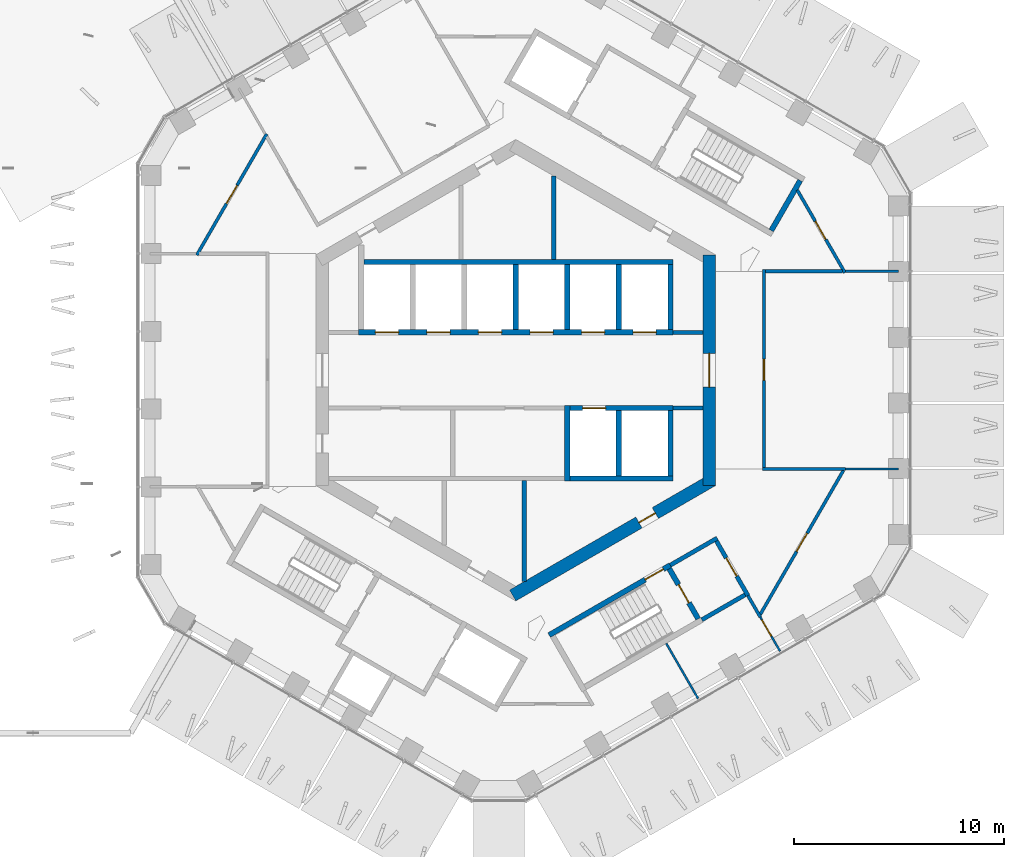
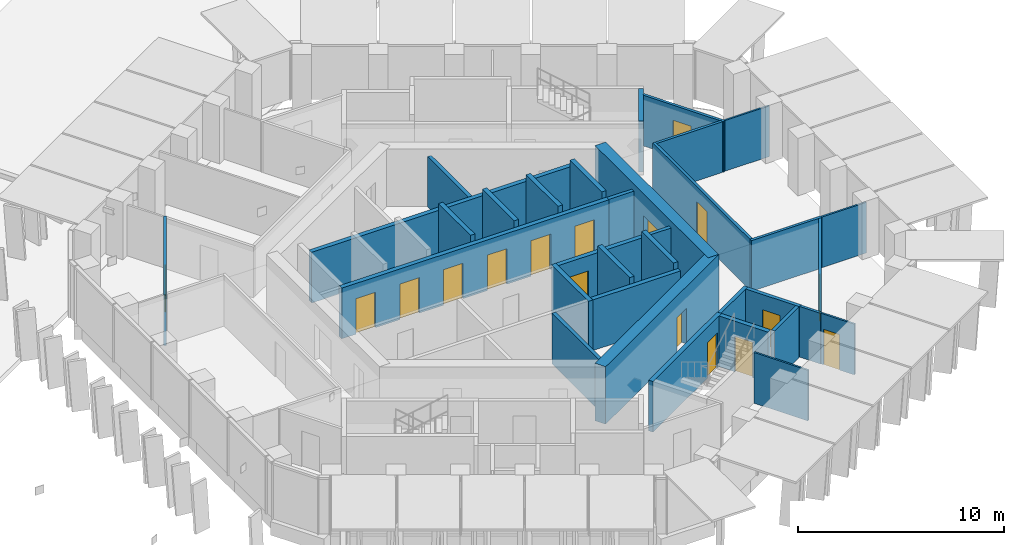
# One storey, part 14 of 23: 34 walls, 17 doors, 17 openings.
"""IFC4 building model written with IfcOpenShell, lengths in metres."""

from ifc_helpers import new_model, si_unit, direction, frame, frame_2d, origin, place, context, subcontext, project, spatial, rectangle, extrude, material, layer, layer_set, type_object, element, fill, save


model = new_model("IFC4")

# Units and contexts
model_context = context("Model", 3, precision=1e-05, world=origin(), true_north=direction((0.0, 1.0)))
body_context = subcontext(model_context, "Body", "Model", "MODEL_VIEW")
ifc_project = project(units=[si_unit("LENGTHUNIT", "METRE"), si_unit("AREAUNIT", "SQUARE_METRE"), si_unit("VOLUMEUNIT", "CUBIC_METRE"), si_unit("PLANEANGLEUNIT", "RADIAN"), si_unit("MASSUNIT", "GRAM", prefix="KILO")], contexts=[model_context])

# Site, building, storey
site_placement = place(None, origin())
site = spatial("IfcSite", under=ifc_project, at=site_placement, CompositionType="ELEMENT")
building_placement = place(site_placement, origin())
building = spatial("IfcBuilding", under=site, at=building_placement, Name="Ayvan Gate Tower", CompositionType="ELEMENT")
storey_placement = place(building_placement, frame((0.0, 0.0, 198.699951171875)))
storey = spatial("IfcBuildingStorey", under=building, at=storey_placement, Name="L53", CompositionType="ELEMENT", Elevation=198.699951171875)

# Wall, opening, door
ifc_material_1 = material(Name="Concrete C60/75", Category="concrete")
ifc_layer_1 = layer(ifc_material_1, 0.60009765625)
ifc_layer_set_1 = layer_set([ifc_layer_1], Name="Concrete C60/75")
wall_type_1 = type_object("IfcWallType", Name="Core wall 600 C60/75", PredefinedType="SHEAR", material=ifc_layer_set_1)
wall_1_placement = place(storey_placement, frame((9.199951171875, -5.48486328125, 0.0), z_axis=(0.0, 0.0, 1.0), x_axis=(0.0, 1.0, 0.0)))
wall_1 = element("IfcWall", 1, at=wall_1_placement, inside=storey, type_object=wall_type_1, Name="CORE-L53-0", PredefinedType="SHEAR", context=body_context, shape_type="SweptSolid", body=[
    extrude(rectangle(XDim=10.9697265625, YDim=0.60009765625, at=frame_2d((5.48486328125, 0.0))), origin(), (0.0, 0.0, 1.0), 3.400146484375),
])
opening_1_placement = place(wall_1_placement, frame((4.684814453125, 0.0, 0.0)))
opening_1 = element("IfcOpeningElement", 2, at=opening_1_placement, cuts=wall_1, Name="Opening L53-D39", PredefinedType="OPENING", context=body_context, shape_type="SweptSolid", body=[
    extrude(rectangle(XDim=1.60009765625, YDim=2.10009765625, at=frame_2d((0.800048828125, 1.050048828125))), frame((0.0, 0.31005859375, 0.0), z_axis=(0.0, -1.0, 0.0), x_axis=(1.0, 0.0, 0.0)), (0.0, 0.0, 1.0), 0.6201171875),
])
ifc_material_2 = material(Name="Timber door leaf", Category="wood")
door_type_1 = type_object("IfcDoorType", Name="DT-1600", OperationType="NOTDEFINED", PredefinedType="DOOR", material=ifc_material_2)
door_1_placement = place(opening_1_placement, origin())
door_1 = element("IfcDoor", 3, at=door_1_placement, inside=storey, type_object=door_type_1, Name="CD-L53-39", OperationType="SINGLE_SWING_RIGHT", OverallHeight=2.10009765625, OverallWidth=1.60009765625, PredefinedType="DOOR", context=body_context, shape_type="SweptSolid", body=[
    extrude(rectangle(XDim=1.60009765625, YDim=2.10009765625, at=frame_2d((0.800048828125, 1.050048828125))), frame((0.0, 0.02490234375, 0.0), z_axis=(0.0, -1.0, 0.0), x_axis=(1.0, 0.0, 0.0)), (0.0, 0.0, 1.0), 0.050048828125),
])
fill(opening_1, door_1)

wall_2_placement = place(storey_placement, frame((-0.14990234375, -10.7099609375, 0.0), z_axis=(0.0, 0.0, 1.0), x_axis=(0.866023993627, 0.500002442456, 0.0)))
wall_2 = element("IfcWall", 4, at=wall_2_placement, inside=storey, type_object=wall_type_1, Name="CORE-L53-5", PredefinedType="SHEAR", context=body_context, shape_type="SweptSolid", body=[
    extrude(rectangle(XDim=10.9697265625, YDim=0.60009765625, at=frame_2d((5.48486328125, 0.0))), origin(), (0.0, 0.0, 1.0), 3.400146484375),
])
opening_2_placement = place(wall_2_placement, frame((6.934814453125, 0.0, 0.0)))
opening_2 = element("IfcOpeningElement", 5, at=opening_2_placement, cuts=wall_2, Name="Opening L53-D37", PredefinedType="OPENING", context=body_context, shape_type="SweptSolid", body=[
    extrude(rectangle(XDim=0.89990234375, YDim=2.10009765625, at=frame_2d((0.449951171875, 1.050048828125))), frame((0.0, 0.31005859375, 0.0), z_axis=(0.0, -1.0, 0.0), x_axis=(1.0, 0.0, 0.0)), (0.0, 0.0, 1.0), 0.6201171875),
])
door_type_2 = type_object("IfcDoorType", Name="DT-900", OperationType="NOTDEFINED", PredefinedType="DOOR", material=ifc_material_2)
door_2_placement = place(opening_2_placement, origin())
door_2 = element("IfcDoor", 6, at=door_2_placement, inside=storey, type_object=door_type_2, Name="CD-L53-37", OperationType="SINGLE_SWING_RIGHT", OverallHeight=2.10009765625, OverallWidth=0.89990234375, PredefinedType="DOOR", context=body_context, shape_type="SweptSolid", body=[
    extrude(rectangle(XDim=0.89990234375, YDim=2.10009765625, at=frame_2d((0.449951171875, 1.050048828125))), frame((0.0, 0.02490234375, 0.0), z_axis=(0.0, -1.0, 0.0), x_axis=(1.0, 0.0, 0.0)), (0.0, 0.0, 1.0), 0.050048828125),
])
fill(opening_2, door_2)

ifc_material_3 = material(Name="Plasterboard on steel stud", Category="steel")
ifc_layer_2 = layer(ifc_material_3, 0.14990234375)
ifc_layer_set_2 = layer_set([ifc_layer_2], Name="Plasterboard on steel stud")
wall_type_2 = type_object("IfcWallType", Name="WT-CORR-150", PredefinedType="PARTITIONING", material=ifc_layer_set_2)
wall_3_placement = place(storey_placement, frame((-15.16748046875, 5.47412109375, 0.0), z_axis=(0.0, 0.0, 1.0), x_axis=(0.500012717347, 0.866018061296, 0.0)))
wall_3 = element("IfcWall", 7, at=wall_3_placement, inside=storey, type_object=wall_type_2, Name="IW-L53-002", PredefinedType="PARTITIONING", context=body_context, shape_type="SweptSolid", body=[
    extrude(rectangle(XDim=6.649658203125, YDim=0.14990234375, at=frame_2d((3.32470703125, 0.0))), origin(), (0.0, 0.0, 1.0), 3.0),
])
opening_3_placement = place(wall_3_placement, frame((2.824951171875, 0.0, 0.0)))
opening_3 = element("IfcOpeningElement", 8, at=opening_3_placement, cuts=wall_3, Name="Opening L53-D24", PredefinedType="OPENING", context=body_context, shape_type="SweptSolid", body=[
    extrude(rectangle(XDim=1.0, YDim=2.10009765625, at=frame_2d((0.5, 1.050048828125))), frame((0.0, 0.0849609375, 0.0), z_axis=(0.0, -1.0, 0.0), x_axis=(1.0, 0.0, 0.0)), (0.0, 0.0, 1.0), 0.169921875),
])
door_type_3 = type_object("IfcDoorType", Name="DT-1000", OperationType="NOTDEFINED", PredefinedType="DOOR", material=ifc_material_2)
door_3_placement = place(opening_3_placement, origin())
door_3 = element("IfcDoor", 9, at=door_3_placement, inside=storey, type_object=door_type_3, Name="ID-L53-024", OperationType="SINGLE_SWING_LEFT", OverallHeight=2.10009765625, OverallWidth=1.0, PredefinedType="DOOR", context=body_context, shape_type="SweptSolid", body=[
    extrude(rectangle(XDim=1.0, YDim=2.10009765625, at=frame_2d((0.5, 1.050048828125))), frame((0.0, 0.02490234375, 0.0), z_axis=(0.0, -1.0, 0.0), x_axis=(1.0, 0.0, 0.0)), (0.0, 0.0, 1.0), 0.050048828125),
])
fill(opening_3, door_3)

# Walls
wall_4_placement = place(storey_placement, frame((11.626220703125, -11.7373046875, 0.0), z_axis=(0.0, 0.0, 1.0), x_axis=(-0.499883919394, 0.866092412582, 0.0)))
element("IfcWall", 10, at=wall_4_placement, inside=storey, type_object=wall_type_2, Name="IW-L53-078", PredefinedType="PARTITIONING", context=body_context, shape_type="SweptSolid", body=[
    extrude(rectangle(XDim=1.177978515625, YDim=0.14990234375, at=frame_2d((0.5888671875, 0.0))), origin(), (0.0, 0.0, 1.0), 3.0),
])
wall_5_placement = place(storey_placement, frame((11.724853515625, -4.70458984375, 0.0), z_axis=(0.0, 0.0, 1.0), x_axis=(1.0, 0.0, 0.0)))
element("IfcWall", 11, at=wall_5_placement, inside=storey, type_object=wall_type_2, Name="IW-L53-079", PredefinedType="PARTITIONING", context=body_context, shape_type="SweptSolid", body=[
    extrude(rectangle(XDim=3.961669921875, YDim=0.14990234375, at=frame_2d((1.98095703125, 0.0))), origin(), (0.0, 0.0, 1.0), 3.0),
])

# Wall, opening, door
wall_6_placement = place(storey_placement, frame((11.800048828125, 4.779541015625, 0.0), z_axis=(0.0, 0.0, 1.0), x_axis=(0.0, -1.0, 0.0)))
wall_6 = element("IfcWall", 12, at=wall_6_placement, inside=storey, type_object=wall_type_2, Name="IW-L53-080", PredefinedType="PARTITIONING", context=body_context, shape_type="SweptSolid", body=[
    extrude(rectangle(XDim=9.408935546875, YDim=0.14990234375, at=frame_2d((4.70458984375, 0.0))), origin(), (0.0, 0.0, 1.0), 3.0),
])
opening_4_placement = place(wall_6_placement, frame((4.257080078125, 0.0, 0.0)))
opening_4 = element("IfcOpeningElement", 13, at=opening_4_placement, cuts=wall_6, Name="Opening L53-D21", PredefinedType="OPENING", context=body_context, shape_type="SweptSolid", body=[
    extrude(rectangle(XDim=1.0, YDim=2.10009765625, at=frame_2d((0.5, 1.050048828125))), frame((0.0, 0.0849609375, 0.0), z_axis=(0.0, -1.0, 0.0), x_axis=(1.0, 0.0, 0.0)), (0.0, 0.0, 1.0), 0.169921875),
])
door_4_placement = place(opening_4_placement, origin())
door_4 = element("IfcDoor", 14, at=door_4_placement, inside=storey, type_object=door_type_3, Name="ID-L53-021", OperationType="SINGLE_SWING_RIGHT", OverallHeight=2.10009765625, OverallWidth=1.0, PredefinedType="DOOR", context=body_context, shape_type="SweptSolid", body=[
    extrude(rectangle(XDim=1.0, YDim=2.10009765625, at=frame_2d((0.5, 1.050048828125))), frame((0.0, 0.02490234375, 0.0), z_axis=(0.0, -1.0, 0.0), x_axis=(1.0, 0.0, 0.0)), (0.0, 0.0, 1.0), 0.050048828125),
])
fill(opening_4, door_4)

wall_7_placement = place(storey_placement, frame((13.38330078125, 8.564208984375, 0.0), z_axis=(0.0, 0.0, 1.0), x_axis=(0.499980487887, -0.866036668815, 0.0)))
wall_7 = element("IfcWall", 15, at=wall_7_placement, inside=storey, type_object=wall_type_2, Name="IW-L53-083", PredefinedType="PARTITIONING", context=body_context, shape_type="SweptSolid", body=[
    extrude(rectangle(XDim=4.531982421875, YDim=0.14990234375, at=frame_2d((2.26611328125, 0.0))), origin(), (0.0, 0.0, 1.0), 3.0),
])
opening_5_placement = place(wall_7_placement, frame((1.7109375, 0.0, 0.0)))
opening_5 = element("IfcOpeningElement", 16, at=opening_5_placement, cuts=wall_7, Name="Opening L53-D22", PredefinedType="OPENING", context=body_context, shape_type="SweptSolid", body=[
    extrude(rectangle(XDim=1.0, YDim=2.10009765625, at=frame_2d((0.5, 1.050048828125))), frame((0.0, 0.0849609375, 0.0), z_axis=(0.0, -1.0, 0.0), x_axis=(1.0, 0.0, 0.0)), (0.0, 0.0, 1.0), 0.169921875),
])
door_5_placement = place(opening_5_placement, origin())
door_5 = element("IfcDoor", 17, at=door_5_placement, inside=storey, type_object=door_type_3, Name="ID-L53-022", OperationType="SINGLE_SWING_LEFT", OverallHeight=2.10009765625, OverallWidth=1.0, PredefinedType="DOOR", context=body_context, shape_type="SweptSolid", body=[
    extrude(rectangle(XDim=1.0, YDim=2.10009765625, at=frame_2d((0.5, 1.050048828125))), frame((0.0, 0.02490234375, 0.0), z_axis=(0.0, -1.0, 0.0), x_axis=(1.0, 0.0, 0.0)), (0.0, 0.0, 1.0), 0.050048828125),
])
fill(opening_5, door_5)

wall_8_placement = place(storey_placement, frame((15.57421875, -4.769287109375, 0.0), z_axis=(0.0, 0.0, 1.0), x_axis=(-0.499999914436, -0.866025453185, 0.0)))
wall_8 = element("IfcWall", 18, at=wall_8_placement, inside=storey, type_object=wall_type_2, Name="IW-L53-086", PredefinedType="PARTITIONING", context=body_context, shape_type="SweptSolid", body=[
    extrude(rectangle(XDim=7.89599609375, YDim=0.14990234375, at=frame_2d((3.947998046875, 0.0))), origin(), (0.0, 0.0, 1.0), 3.0),
])
opening_6_placement = place(wall_8_placement, frame((3.447998046875, 0.0, 0.0)))
opening_6 = element("IfcOpeningElement", 19, at=opening_6_placement, cuts=wall_8, Name="Opening L53-D28", PredefinedType="OPENING", context=body_context, shape_type="SweptSolid", body=[
    extrude(rectangle(XDim=1.0, YDim=2.10009765625, at=frame_2d((0.5, 1.050048828125))), frame((0.0, 0.0849609375, 0.0), z_axis=(0.0, -1.0, 0.0), x_axis=(1.0, 0.0, 0.0)), (0.0, 0.0, 1.0), 0.169921875),
])
door_6_placement = place(opening_6_placement, origin())
door_6 = element("IfcDoor", 20, at=door_6_placement, inside=storey, type_object=door_type_3, Name="ID-L53-028", OperationType="SINGLE_SWING_LEFT", OverallHeight=2.10009765625, OverallWidth=1.0, PredefinedType="DOOR", context=body_context, shape_type="SweptSolid", body=[
    extrude(rectangle(XDim=1.0, YDim=2.10009765625, at=frame_2d((0.5, 1.050048828125))), frame((0.0, 0.02490234375, 0.0), z_axis=(0.0, -1.0, 0.0), x_axis=(1.0, 0.0, 0.0)), (0.0, 0.0, 1.0), 0.050048828125),
])
fill(opening_6, door_6)

# Walls
wall_9_placement = place(storey_placement, frame((15.53662109375, 4.70458984375, 0.0), z_axis=(0.0, 0.0, 1.0), x_axis=(-1.0, 0.0, 0.0)))
element("IfcWall", 21, at=wall_9_placement, inside=storey, type_object=wall_type_2, Name="IW-L53-087", PredefinedType="PARTITIONING", context=body_context, shape_type="SweptSolid", body=[
    extrude(rectangle(XDim=3.66162109375, YDim=0.14990234375, at=frame_2d((1.830810546875, 0.0))), origin(), (0.0, 0.0, 1.0), 3.0),
])
ifc_layer_3 = layer(ifc_material_3, 0.10009765625)
ifc_layer_set_3 = layer_set([ifc_layer_3], Name="Plasterboard on steel stud")
wall_type_3 = type_object("IfcWallType", Name="WT-PART-100", PredefinedType="PARTITIONING", material=ifc_layer_set_3)
wall_10_placement = place(storey_placement, frame((7.152587890625, -12.98876953125, 0.0), z_axis=(0.0, 0.0, 1.0), x_axis=(0.500013093982, -0.866017843839, 0.0)))
element("IfcWall", 22, at=wall_10_placement, inside=storey, type_object=wall_type_3, Name="IW-L53-065", PredefinedType="PARTITIONING", context=body_context, shape_type="SweptSolid", body=[
    extrude(rectangle(XDim=3.02978515625, YDim=0.10009765625, at=frame_2d((1.514892578125, 0.0))), origin(), (0.0, 0.0, 1.0), 3.0),
])

# Wall, opening, door
wall_11_placement = place(storey_placement, frame((12.564697265625, -13.362548828125, 0.0), z_axis=(0.0, 0.0, 1.0), x_axis=(-0.500056514623, 0.865992772593, 0.0)))
wall_11 = element("IfcWall", 23, at=wall_11_placement, inside=storey, type_object=wall_type_3, Name="IW-L53-082", PredefinedType="PARTITIONING", context=body_context, shape_type="SweptSolid", body=[
    extrude(rectangle(XDim=1.876708984375, YDim=0.10009765625, at=frame_2d((0.9384765625, 0.0))), origin(), (0.0, 0.0, 1.0), 3.0),
])
opening_7_placement = place(wall_11_placement, frame((0.82373046875, 0.0, 0.0)))
opening_7 = element("IfcOpeningElement", 24, at=opening_7_placement, cuts=wall_11, Name="Opening L53-D29", PredefinedType="OPENING", context=body_context, shape_type="SweptSolid", body=[
    extrude(rectangle(XDim=0.89990234375, YDim=2.10009765625, at=frame_2d((0.449951171875, 1.050048828125))), frame((0.0, 0.06005859375, 0.0), z_axis=(0.0, -1.0, 0.0), x_axis=(1.0, 0.0, 0.0)), (0.0, 0.0, 1.0), 0.1201171875),
])
door_7_placement = place(opening_7_placement, origin())
door_7 = element("IfcDoor", 25, at=door_7_placement, inside=storey, type_object=door_type_2, Name="ID-L53-029", OperationType="SINGLE_SWING_RIGHT", OverallHeight=2.10009765625, OverallWidth=0.89990234375, PredefinedType="DOOR", context=body_context, shape_type="SweptSolid", body=[
    extrude(rectangle(XDim=0.89990234375, YDim=2.10009765625, at=frame_2d((0.449951171875, 1.050048828125))), frame((0.0, 0.02490234375, 0.0), z_axis=(0.0, -1.0, 0.0), x_axis=(1.0, 0.0, 0.0)), (0.0, 0.0, 1.0), 0.050048828125),
])
fill(opening_7, door_7)

# Walls
for number, where, z_axis, x_axis, name in (
    (26, (15.6865234375, 4.70458984375, 0.0), (0.0, 0.0, 1.0), (1.0, 0.0, 0.0), "IW-L53-085"),
    (27, (18.1865234375, -4.70458984375, 0.0), (0.0, 0.0, 1.0), (-1.0, 0.0, 0.0), "IW-L53-088"),
):
    element("IfcWall", number, at=place(storey_placement, frame(where, z_axis=z_axis, x_axis=x_axis)), inside=storey, type_object=wall_type_3, Name=name, PredefinedType="PARTITIONING", context=body_context, shape_type="SweptSolid", body=[
        extrude(rectangle(XDim=2.5, YDim=0.10009765625, at=frame_2d((1.25, 0.0))), origin(), (0.0, 0.0, 1.0), 3.0),
    ])
ifc_layer_4 = layer(ifc_material_3, 0.199951171875)
ifc_layer_set_4 = layer_set([ifc_layer_4], Name="Plasterboard on steel stud")
wall_type_4 = type_object("IfcWallType", Name="WT-RATED-200", PredefinedType="PARTITIONING", material=ifc_layer_set_4)
wall_12_placement = place(storey_placement, frame((0.39990234375, -5.25, 0.0), z_axis=(0.0, 0.0, 1.0), x_axis=(0.0, -1.0, 0.0)))
element("IfcWall", 28, at=wall_12_placement, inside=storey, type_object=wall_type_4, Name="IW-L53-046", PredefinedType="PARTITIONING", context=body_context, shape_type="SweptSolid", body=[
    extrude(rectangle(XDim=4.7958984375, YDim=0.199951171875, at=frame_2d((2.39794921875, 0.0))), origin(), (0.0, 0.0, 1.0), 3.0),
])
wall_13_placement = place(storey_placement, frame((1.800048828125, 9.237548828125, 0.0), z_axis=(0.0, 0.0, 1.0), x_axis=(0.0, -1.0, 0.0)))
element("IfcWall", 29, at=wall_13_placement, inside=storey, type_object=wall_type_4, Name="IW-L53-049", PredefinedType="PARTITIONING", context=body_context, shape_type="SweptSolid", body=[
    extrude(rectangle(XDim=3.962646484375, YDim=0.199951171875, at=frame_2d((1.9814453125, 0.0))), origin(), (0.0, 0.0, 1.0), 3.0),
])
wall_14_placement = place(storey_placement, frame((7.343994140625, -9.27001953125, 0.0), z_axis=(0.0, 0.0, 1.0), x_axis=(0.866005588531, 0.500034319456, 0.0)))
element("IfcWall", 30, at=wall_14_placement, inside=storey, type_object=wall_type_4, Name="IW-L53-068", PredefinedType="PARTITIONING", context=body_context, shape_type="SweptSolid", body=[
    extrude(rectangle(XDim=2.574951171875, YDim=0.199951171875, at=frame_2d((1.28759765625, 0.0))), origin(), (0.0, 0.0, 1.0), 3.0),
])
for number, where, z_axis, x_axis, name in (
    (31, (7.474853515625, 1.800048828125, 0.0), (0.0, 0.0, 1.0), (1.0, 0.0, 0.0), "IW-L53-069"),
    (32, (8.89990234375, -1.800048828125, 0.0), (0.0, 0.0, 1.0), (-1.0, 0.0, 0.0), "IW-L53-075"),
):
    element("IfcWall", number, at=place(storey_placement, frame(where, z_axis=z_axis, x_axis=x_axis)), inside=storey, type_object=wall_type_4, Name=name, PredefinedType="PARTITIONING", context=body_context, shape_type="SweptSolid", body=[
        extrude(rectangle(XDim=1.425048828125, YDim=0.199951171875, at=frame_2d((0.71240234375, 0.0))), origin(), (0.0, 0.0, 1.0), 3.0),
    ])

# Wall, opening, door
wall_15_placement = place(storey_placement, frame((9.537353515625, -8.119140625, 0.0), z_axis=(0.0, 0.0, 1.0), x_axis=(0.499990139034, -0.866031096941, 0.0)))
wall_15 = element("IfcWall", 33, at=wall_15_placement, inside=storey, type_object=wall_type_4, Name="IW-L53-076", PredefinedType="PARTITIONING", context=body_context, shape_type="SweptSolid", body=[
    extrude(rectangle(XDim=3.0, YDim=0.199951171875, at=frame_2d((1.5, 0.0))), origin(), (0.0, 0.0, 1.0), 3.0),
])
opening_8_placement = place(wall_15_placement, frame((0.93505859375, 0.0, 0.0)))
opening_8 = element("IfcOpeningElement", 34, at=opening_8_placement, cuts=wall_15, Name="Opening L53-D19", PredefinedType="OPENING", context=body_context, shape_type="SweptSolid", body=[
    extrude(rectangle(XDim=1.0, YDim=2.10009765625, at=frame_2d((0.5, 1.050048828125))), frame((0.0, 0.10986328125, 0.0), z_axis=(0.0, -1.0, 0.0), x_axis=(1.0, 0.0, 0.0)), (0.0, 0.0, 1.0), 0.219970703125),
])
door_8_placement = place(opening_8_placement, origin())
door_8 = element("IfcDoor", 35, at=door_8_placement, inside=storey, type_object=door_type_3, Name="ID-L53-019", OperationType="SINGLE_SWING_RIGHT", OverallHeight=2.10009765625, OverallWidth=1.0, PredefinedType="DOOR", context=body_context, shape_type="SweptSolid", body=[
    extrude(rectangle(XDim=1.0, YDim=2.10009765625, at=frame_2d((0.5, 1.050048828125))), frame((0.0, 0.02490234375, 0.0), z_axis=(0.0, -1.0, 0.0), x_axis=(1.0, 0.0, 0.0)), (0.0, 0.0, 1.0), 0.050048828125),
])
fill(opening_8, door_8)

# Wall
wall_16_placement = place(storey_placement, frame((10.900634765625, -10.6806640625, 0.0), z_axis=(0.0, 0.0, 1.0), x_axis=(-0.866007538022, -0.500030943131, 0.0)))
element("IfcWall", 36, at=wall_16_placement, inside=storey, type_object=wall_type_4, Name="IW-L53-077", PredefinedType="PARTITIONING", context=body_context, shape_type="SweptSolid", body=[
    extrude(rectangle(XDim=2.374755859375, YDim=0.199951171875, at=frame_2d((1.1875, 0.0))), origin(), (0.0, 0.0, 1.0), 3.0),
])

# Wall, openings, doors
ifc_material_4 = material(Name="Concrete C50/60", Category="concrete")
ifc_layer_5 = layer(ifc_material_4, 0.25)
ifc_layer_set_5 = layer_set([ifc_layer_5], Name="Concrete C50/60")
wall_type_5 = type_object("IfcWallType", Name="WT-RC-250", PredefinedType="SHEAR", material=ifc_layer_set_5)
wall_17_placement = place(storey_placement, frame((-7.47509765625, 1.800048828125, 0.0), z_axis=(0.0, 0.0, 1.0), x_axis=(1.0, 0.0, 0.0)))
wall_17 = element("IfcWall", 37, at=wall_17_placement, inside=storey, type_object=wall_type_5, Name="IW-L53-019", PredefinedType="SHEAR", context=body_context, shape_type="SweptSolid", body=[
    extrude(rectangle(XDim=14.9501953125, YDim=0.25, at=frame_2d((7.47509765625, 0.0))), origin(), (0.0, 0.0, 1.0), 3.0),
])
opening_9_placement = place(wall_17_placement, frame((0.800048828125, 0.0, 0.0)))
opening_9 = element("IfcOpeningElement", 38, at=opening_9_placement, cuts=wall_17, Name="Opening L53-LD-HR1", PredefinedType="OPENING", context=body_context, shape_type="SweptSolid", body=[
    extrude(rectangle(XDim=1.10009765625, YDim=2.10009765625, at=frame_2d((0.550048828125, 1.050048828125))), frame((0.0, 0.135009765625, 0.0), z_axis=(0.0, -1.0, 0.0), x_axis=(1.0, 0.0, 0.0)), (0.0, 0.0, 1.0), 0.27001953125),
])
opening_10_placement = place(wall_17_placement, frame((3.25, 0.0, 0.0)))
opening_10 = element("IfcOpeningElement", 39, at=opening_10_placement, cuts=wall_17, Name="Opening L53-LD-HR2", PredefinedType="OPENING", context=body_context, shape_type="SweptSolid", body=[
    extrude(rectangle(XDim=1.10009765625, YDim=2.10009765625, at=frame_2d((0.550048828125, 1.050048828125))), frame((0.0, 0.135009765625, 0.0), z_axis=(0.0, -1.0, 0.0), x_axis=(1.0, 0.0, 0.0)), (0.0, 0.0, 1.0), 0.27001953125),
])
opening_11_placement = place(wall_17_placement, frame((5.7001953125, 0.0, 0.0)))
opening_11 = element("IfcOpeningElement", 40, at=opening_11_placement, cuts=wall_17, Name="Opening L53-LD-HR3", PredefinedType="OPENING", context=body_context, shape_type="SweptSolid", body=[
    extrude(rectangle(XDim=1.10009765625, YDim=2.10009765625, at=frame_2d((0.550048828125, 1.050048828125))), frame((0.0, 0.135009765625, 0.0), z_axis=(0.0, -1.0, 0.0), x_axis=(1.0, 0.0, 0.0)), (0.0, 0.0, 1.0), 0.27001953125),
])
opening_12_placement = place(wall_17_placement, frame((8.150146484375, 0.0, 0.0)))
opening_12 = element("IfcOpeningElement", 41, at=opening_12_placement, cuts=wall_17, Name="Opening L53-LD-HR4", PredefinedType="OPENING", context=body_context, shape_type="SweptSolid", body=[
    extrude(rectangle(XDim=1.10009765625, YDim=2.10009765625, at=frame_2d((0.550048828125, 1.050048828125))), frame((0.0, 0.135009765625, 0.0), z_axis=(0.0, -1.0, 0.0), x_axis=(1.0, 0.0, 0.0)), (0.0, 0.0, 1.0), 0.27001953125),
])
opening_13_placement = place(wall_17_placement, frame((10.60009765625, 0.0, 0.0)))
opening_13 = element("IfcOpeningElement", 42, at=opening_13_placement, cuts=wall_17, Name="Opening L53-LD-HR5", PredefinedType="OPENING", context=body_context, shape_type="SweptSolid", body=[
    extrude(rectangle(XDim=1.10009765625, YDim=2.10009765625, at=frame_2d((0.550048828125, 1.050048828125))), frame((0.0, 0.135009765625, 0.0), z_axis=(0.0, -1.0, 0.0), x_axis=(1.0, 0.0, 0.0)), (0.0, 0.0, 1.0), 0.27001953125),
])
opening_14_placement = place(wall_17_placement, frame((13.050048828125, 0.0, 0.0)))
opening_14 = element("IfcOpeningElement", 43, at=opening_14_placement, cuts=wall_17, Name="Opening L53-LD-HR6", PredefinedType="OPENING", context=body_context, shape_type="SweptSolid", body=[
    extrude(rectangle(XDim=1.10009765625, YDim=2.10009765625, at=frame_2d((0.550048828125, 1.050048828125))), frame((0.0, 0.135009765625, 0.0), z_axis=(0.0, -1.0, 0.0), x_axis=(1.0, 0.0, 0.0)), (0.0, 0.0, 1.0), 0.27001953125),
])
ifc_material_5 = material(Name="Stainless steel landing door", Category="steel")
door_type_4 = type_object("IfcDoorType", Name="DT-LANDING-1100", OperationType="SLIDING_TO_LEFT", PredefinedType="DOOR", material=ifc_material_5)
door_9_placement = place(opening_9_placement, origin())
door_9 = element("IfcDoor", 44, at=door_9_placement, inside=storey, type_object=door_type_4, Name="ID-L53-001", OperationType="SLIDING_TO_LEFT", OverallHeight=2.10009765625, OverallWidth=1.10009765625, PredefinedType="DOOR", context=body_context, shape_type="SweptSolid", body=[
    extrude(rectangle(XDim=1.10009765625, YDim=2.10009765625, at=frame_2d((0.550048828125, 1.050048828125))), frame((0.0, 0.02490234375, 0.0), z_axis=(0.0, -1.0, 0.0), x_axis=(1.0, 0.0, 0.0)), (0.0, 0.0, 1.0), 0.050048828125),
])
fill(opening_9, door_9)
door_10_placement = place(opening_10_placement, origin())
door_10 = element("IfcDoor", 45, at=door_10_placement, inside=storey, type_object=door_type_4, Name="ID-L53-002", OperationType="SLIDING_TO_LEFT", OverallHeight=2.10009765625, OverallWidth=1.10009765625, PredefinedType="DOOR", context=body_context, shape_type="SweptSolid", body=[
    extrude(rectangle(XDim=1.10009765625, YDim=2.10009765625, at=frame_2d((0.550048828125, 1.050048828125))), frame((0.0, 0.02490234375, 0.0), z_axis=(0.0, -1.0, 0.0), x_axis=(1.0, 0.0, 0.0)), (0.0, 0.0, 1.0), 0.050048828125),
])
fill(opening_10, door_10)
door_11_placement = place(opening_11_placement, origin())
door_11 = element("IfcDoor", 46, at=door_11_placement, inside=storey, type_object=door_type_4, Name="ID-L53-003", OperationType="SLIDING_TO_LEFT", OverallHeight=2.10009765625, OverallWidth=1.10009765625, PredefinedType="DOOR", context=body_context, shape_type="SweptSolid", body=[
    extrude(rectangle(XDim=1.10009765625, YDim=2.10009765625, at=frame_2d((0.550048828125, 1.050048828125))), frame((0.0, 0.02490234375, 0.0), z_axis=(0.0, -1.0, 0.0), x_axis=(1.0, 0.0, 0.0)), (0.0, 0.0, 1.0), 0.050048828125),
])
fill(opening_11, door_11)
door_12_placement = place(opening_12_placement, origin())
door_12 = element("IfcDoor", 47, at=door_12_placement, inside=storey, type_object=door_type_4, Name="ID-L53-004", OperationType="SLIDING_TO_LEFT", OverallHeight=2.10009765625, OverallWidth=1.10009765625, PredefinedType="DOOR", context=body_context, shape_type="SweptSolid", body=[
    extrude(rectangle(XDim=1.10009765625, YDim=2.10009765625, at=frame_2d((0.550048828125, 1.050048828125))), frame((0.0, 0.02490234375, 0.0), z_axis=(0.0, -1.0, 0.0), x_axis=(1.0, 0.0, 0.0)), (0.0, 0.0, 1.0), 0.050048828125),
])
fill(opening_12, door_12)
door_13_placement = place(opening_13_placement, origin())
door_13 = element("IfcDoor", 48, at=door_13_placement, inside=storey, type_object=door_type_4, Name="ID-L53-005", OperationType="SLIDING_TO_LEFT", OverallHeight=2.10009765625, OverallWidth=1.10009765625, PredefinedType="DOOR", context=body_context, shape_type="SweptSolid", body=[
    extrude(rectangle(XDim=1.10009765625, YDim=2.10009765625, at=frame_2d((0.550048828125, 1.050048828125))), frame((0.0, 0.02490234375, 0.0), z_axis=(0.0, -1.0, 0.0), x_axis=(1.0, 0.0, 0.0)), (0.0, 0.0, 1.0), 0.050048828125),
])
fill(opening_13, door_13)
door_14_placement = place(opening_14_placement, origin())
door_14 = element("IfcDoor", 49, at=door_14_placement, inside=storey, type_object=door_type_4, Name="ID-L53-006", OperationType="SLIDING_TO_LEFT", OverallHeight=2.10009765625, OverallWidth=1.10009765625, PredefinedType="DOOR", context=body_context, shape_type="SweptSolid", body=[
    extrude(rectangle(XDim=1.10009765625, YDim=2.10009765625, at=frame_2d((0.550048828125, 1.050048828125))), frame((0.0, 0.02490234375, 0.0), z_axis=(0.0, -1.0, 0.0), x_axis=(1.0, 0.0, 0.0)), (0.0, 0.0, 1.0), 0.050048828125),
])
fill(opening_14, door_14)

# Walls
wall_18_placement = place(storey_placement, frame((-7.22509765625, 5.14990234375, 0.0), z_axis=(0.0, 0.0, 1.0), x_axis=(1.0, 0.0, 0.0)))
element("IfcWall", 50, at=wall_18_placement, inside=storey, type_object=wall_type_5, Name="IW-L53-021", PredefinedType="SHEAR", context=body_context, shape_type="SweptSolid", body=[
    extrude(rectangle(XDim=14.7001953125, YDim=0.25, at=frame_2d((7.35009765625, 0.0))), origin(), (0.0, 0.0, 1.0), 3.0),
])
wall_19_placement = place(storey_placement, frame((0.0, 5.02490234375, 0.0), z_axis=(0.0, 0.0, 1.0), x_axis=(0.0, -1.0, 0.0)))
element("IfcWall", 51, at=wall_19_placement, inside=storey, type_object=wall_type_5, Name="IW-L53-045", PredefinedType="SHEAR", context=body_context, shape_type="SweptSolid", body=[
    extrude(rectangle(XDim=3.099853515625, YDim=0.25, at=frame_2d((1.5498046875, 0.0))), origin(), (0.0, 0.0, 1.0), 3.400146484375),
])

# Wall, opening, door
wall_20_placement = place(storey_placement, frame((1.584716796875, -12.594970703125, 0.0), z_axis=(0.0, 0.0, 1.0), x_axis=(0.866036417653, 0.499980922934, 0.0)))
wall_20 = element("IfcWall", 52, at=wall_20_placement, inside=storey, type_object=wall_type_5, Name="IW-L53-048", PredefinedType="SHEAR", context=body_context, shape_type="SweptSolid", body=[
    extrude(rectangle(XDim=6.650146484375, YDim=0.25, at=frame_2d((3.3251953125, 0.0))), origin(), (0.0, 0.0, 1.0), 3.0),
])
opening_15_placement = place(wall_20_placement, frame((5.27490234375, 0.0, 0.0)))
opening_15 = element("IfcOpeningElement", 53, at=opening_15_placement, cuts=wall_20, Name="Opening L53-D18", PredefinedType="OPENING", context=body_context, shape_type="SweptSolid", body=[
    extrude(rectangle(XDim=1.0, YDim=2.10009765625, at=frame_2d((0.5, 1.050048828125))), frame((0.0, 0.135009765625, 0.0), z_axis=(0.0, -1.0, 0.0), x_axis=(1.0, 0.0, 0.0)), (0.0, 0.0, 1.0), 0.27001953125),
])
door_15_placement = place(opening_15_placement, origin())
door_15 = element("IfcDoor", 54, at=door_15_placement, inside=storey, type_object=door_type_3, Name="ID-L53-018", OperationType="SINGLE_SWING_LEFT", OverallHeight=2.10009765625, OverallWidth=1.0, PredefinedType="DOOR", context=body_context, shape_type="SweptSolid", body=[
    extrude(rectangle(XDim=1.0, YDim=2.10009765625, at=frame_2d((0.5, 1.050048828125))), frame((0.0, 0.02490234375, 0.0), z_axis=(0.0, -1.0, 0.0), x_axis=(1.0, 0.0, 0.0)), (0.0, 0.0, 1.0), 0.050048828125),
])
fill(opening_15, door_15)

# Walls
wall_21_placement = place(storey_placement, frame((2.449951171875, -5.27490234375, 0.0), z_axis=(0.0, 0.0, 1.0), x_axis=(0.0, 1.0, 0.0)))
element("IfcWall", 55, at=wall_21_placement, inside=storey, type_object=wall_type_5, Name="IW-L53-050", PredefinedType="SHEAR", context=body_context, shape_type="SweptSolid", body=[
    extrude(rectangle(XDim=3.599853515625, YDim=0.25, at=frame_2d((1.7998046875, 0.0))), origin(), (0.0, 0.0, 1.0), 3.0),
])
wall_22_placement = place(storey_placement, frame((2.449951171875, 5.02490234375, 0.0), z_axis=(0.0, 0.0, 1.0), x_axis=(0.0, -1.0, 0.0)))
element("IfcWall", 56, at=wall_22_placement, inside=storey, type_object=wall_type_5, Name="IW-L53-051", PredefinedType="SHEAR", context=body_context, shape_type="SweptSolid", body=[
    extrude(rectangle(XDim=3.099853515625, YDim=0.25, at=frame_2d((1.5498046875, 0.0))), origin(), (0.0, 0.0, 1.0), 3.400146484375),
])
wall_23_placement = place(storey_placement, frame((2.574951171875, -5.14990234375, 0.0), z_axis=(0.0, 0.0, 1.0), x_axis=(1.0, 0.0, 0.0)))
element("IfcWall", 57, at=wall_23_placement, inside=storey, type_object=wall_type_5, Name="IW-L53-059", PredefinedType="SHEAR", context=body_context, shape_type="SweptSolid", body=[
    extrude(rectangle(XDim=4.900146484375, YDim=0.25, at=frame_2d((2.4501953125, 0.0))), origin(), (0.0, 0.0, 1.0), 3.0),
])
for number, where, z_axis, x_axis, name in (
    (58, (4.89990234375, -1.925048828125, 0.0), (0.0, 0.0, 1.0), (0.0, -1.0, 0.0), "IW-L53-060"),
    (59, (4.89990234375, 5.02490234375, 0.0), (0.0, 0.0, 1.0), (0.0, -1.0, 0.0), "IW-L53-061"),
):
    element("IfcWall", number, at=place(storey_placement, frame(where, z_axis=z_axis, x_axis=x_axis)), inside=storey, type_object=wall_type_5, Name=name, PredefinedType="SHEAR", context=body_context, shape_type="SweptSolid", body=[
        extrude(rectangle(XDim=3.099853515625, YDim=0.25, at=frame_2d((1.5498046875, 0.0))), origin(), (0.0, 0.0, 1.0), 3.400146484375),
    ])

# Wall, opening, door
wall_24_placement = place(storey_placement, frame((2.574951171875, -1.800048828125, 0.0), z_axis=(0.0, 0.0, 1.0), x_axis=(1.0, 0.0, 0.0)))
wall_24 = element("IfcWall", 60, at=wall_24_placement, inside=storey, type_object=wall_type_5, Name="IW-L53-062", PredefinedType="SHEAR", context=body_context, shape_type="SweptSolid", body=[
    extrude(rectangle(XDim=4.900146484375, YDim=0.25, at=frame_2d((2.4501953125, 0.0))), origin(), (0.0, 0.0, 1.0), 3.0),
])
opening_16_placement = place(wall_24_placement, frame((0.597412109375, 0.0, 0.0)))
opening_16 = element("IfcOpeningElement", 61, at=opening_16_placement, cuts=wall_24, Name="Opening L53-LD-SV", PredefinedType="OPENING", context=body_context, shape_type="SweptSolid", body=[
    extrude(rectangle(XDim=1.10009765625, YDim=2.10009765625, at=frame_2d((0.550048828125, 1.050048828125))), frame((0.0, 0.135009765625, 0.0), z_axis=(0.0, -1.0, 0.0), x_axis=(1.0, 0.0, 0.0)), (0.0, 0.0, 1.0), 0.27001953125),
])
door_16_placement = place(opening_16_placement, origin())
door_16 = element("IfcDoor", 62, at=door_16_placement, inside=storey, type_object=door_type_4, Name="ID-L53-007", OperationType="SLIDING_TO_LEFT", OverallHeight=2.10009765625, OverallWidth=1.10009765625, PredefinedType="DOOR", context=body_context, shape_type="SweptSolid", body=[
    extrude(rectangle(XDim=1.10009765625, YDim=2.10009765625, at=frame_2d((0.550048828125, 1.050048828125))), frame((0.0, 0.02490234375, 0.0), z_axis=(0.0, -1.0, 0.0), x_axis=(1.0, 0.0, 0.0)), (0.0, 0.0, 1.0), 0.050048828125),
])
fill(opening_16, door_16)

wall_25_placement = place(storey_placement, frame((7.298095703125, -9.44091796875, 0.0), z_axis=(0.0, 0.0, 1.0), x_axis=(0.500034990121, -0.866005201286, 0.0)))
wall_25 = element("IfcWall", 63, at=wall_25_placement, inside=storey, type_object=wall_type_5, Name="IW-L53-067", PredefinedType="SHEAR", context=body_context, shape_type="SweptSolid", body=[
    extrude(rectangle(XDim=2.749755859375, YDim=0.25, at=frame_2d((1.375, 0.0))), origin(), (0.0, 0.0, 1.0), 3.0),
])
opening_17_placement = place(wall_25_placement, frame((0.875, 0.0, 0.0)))
opening_17 = element("IfcOpeningElement", 64, at=opening_17_placement, cuts=wall_25, Name="Opening L53-D20", PredefinedType="OPENING", context=body_context, shape_type="SweptSolid", body=[
    extrude(rectangle(XDim=1.0, YDim=2.10009765625, at=frame_2d((0.5, 1.050048828125))), frame((0.0, 0.135009765625, 0.0), z_axis=(0.0, -1.0, 0.0), x_axis=(1.0, 0.0, 0.0)), (0.0, 0.0, 1.0), 0.27001953125),
])
door_17_placement = place(opening_17_placement, origin())
door_17 = element("IfcDoor", 65, at=door_17_placement, inside=storey, type_object=door_type_3, Name="ID-L53-020", OperationType="SINGLE_SWING_LEFT", OverallHeight=2.10009765625, OverallWidth=1.0, PredefinedType="DOOR", context=body_context, shape_type="SweptSolid", body=[
    extrude(rectangle(XDim=1.0, YDim=2.10009765625, at=frame_2d((0.5, 1.050048828125))), frame((0.0, 0.02490234375, 0.0), z_axis=(0.0, -1.0, 0.0), x_axis=(1.0, 0.0, 0.0)), (0.0, 0.0, 1.0), 0.050048828125),
])
fill(opening_17, door_17)

# Walls
for number, where, z_axis, x_axis, name in (
    (66, (7.35009765625, -1.925048828125, 0.0), (0.0, 0.0, 1.0), (0.0, -1.0, 0.0), "IW-L53-070"),
    (67, (7.35009765625, 5.02490234375, 0.0), (0.0, 0.0, 1.0), (0.0, -1.0, 0.0), "IW-L53-071"),
):
    element("IfcWall", number, at=place(storey_placement, frame(where, z_axis=z_axis, x_axis=x_axis)), inside=storey, type_object=wall_type_5, Name=name, PredefinedType="SHEAR", context=body_context, shape_type="SweptSolid", body=[
        extrude(rectangle(XDim=3.099853515625, YDim=0.25, at=frame_2d((1.5498046875, 0.0))), origin(), (0.0, 0.0, 1.0), 3.400146484375),
    ])
wall_26_placement = place(storey_placement, frame((12.14794921875, 6.640869140625, 0.0), z_axis=(0.0, 0.0, 1.0), x_axis=(0.500034990121, 0.866005201286, 0.0)))
element("IfcWall", 68, at=wall_26_placement, inside=storey, type_object=wall_type_5, Name="IW-L53-084", PredefinedType="SHEAR", context=body_context, shape_type="SweptSolid", body=[
    extrude(rectangle(XDim=2.749755859375, YDim=0.25, at=frame_2d((1.375, 0.0))), origin(), (0.0, 0.0, 1.0), 3.0),
])

save(model, "model.ifc")
